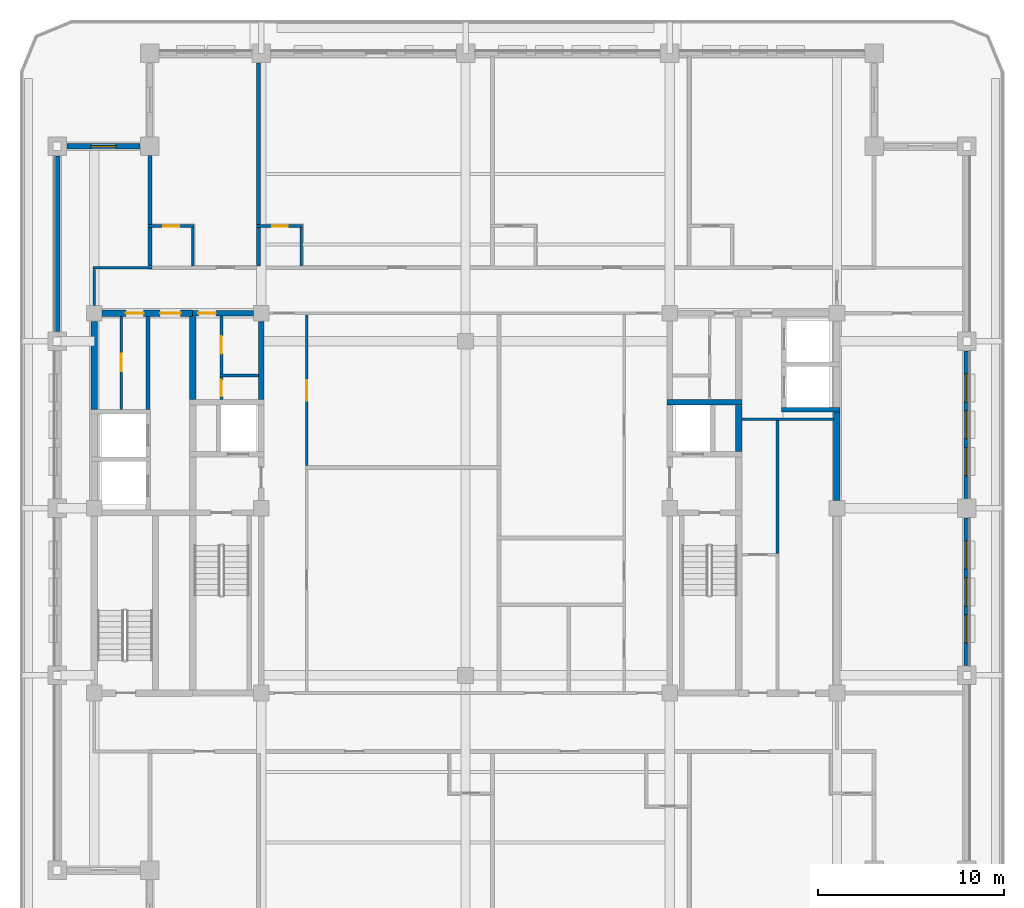
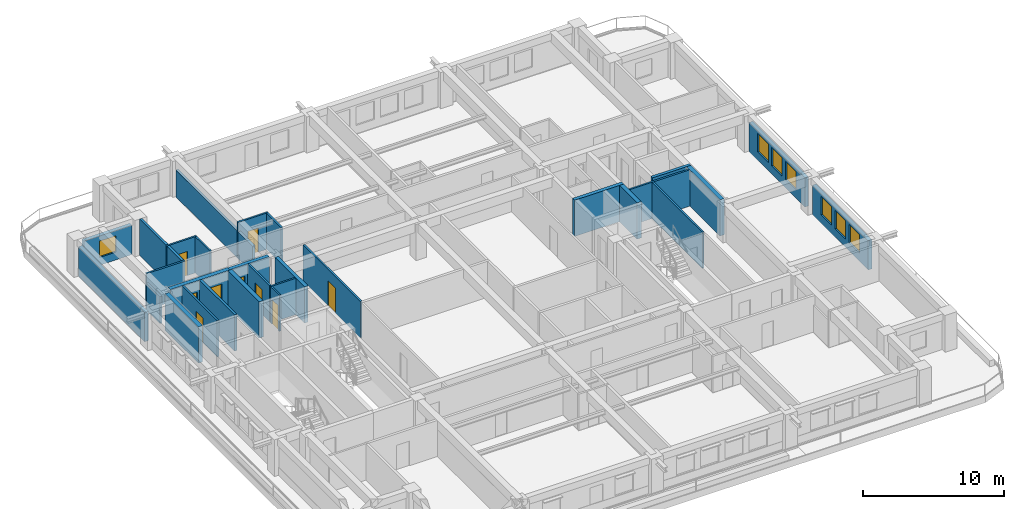
# One storey, part 5 of 14: 31 walls, 9 doors, 7 windows, 16 openings.
"""IFC4 building model written with IfcOpenShell, lengths in metres."""

from ifc_helpers import new_model, si_unit, direction, frame, frame_2d, origin, place, context, subcontext, project, spatial, rectangle, extrude, material, layer, layer_set, type_object, element, fill, save


model = new_model("IFC4")

# Units and contexts
model_context = context("Model", 3, precision=1e-05, world=origin(), true_north=direction((0.0, 1.0)))
body_context = subcontext(model_context, "Body", "Model", "MODEL_VIEW")
ifc_project = project(units=[si_unit("LENGTHUNIT", "METRE"), si_unit("AREAUNIT", "SQUARE_METRE"), si_unit("VOLUMEUNIT", "CUBIC_METRE"), si_unit("PLANEANGLEUNIT", "RADIAN"), si_unit("MASSUNIT", "GRAM", prefix="KILO")], contexts=[model_context])

# Site, building, storey
site_placement = place(None, origin())
site = spatial("IfcSite", under=ifc_project, at=site_placement, CompositionType="ELEMENT")
building_placement = place(site_placement, origin())
building = spatial("IfcBuilding", under=site, at=building_placement, Name="Zulmaris Gate Convention Tower", CompositionType="ELEMENT")
storey_placement = place(building_placement, frame((0.0, 0.0, 162.659912109375)))
storey = spatial("IfcBuildingStorey", under=building, at=storey_placement, Name="L41", CompositionType="ELEMENT", Elevation=162.659912109375)

# Walls
ifc_material_1 = material(Name="Concrete C50/60", Category="concrete")
ifc_layer_1 = layer(ifc_material_1, 0.25, Name="Concrete C50/60")
ifc_layer_set_1 = layer_set([ifc_layer_1], Name="Concrete C50/60")
wall_type_1 = type_object("IfcWallType", Name="CORE-250", PredefinedType="SOLIDWALL", material=ifc_layer_set_1)
wall_1_placement = place(storey_placement, frame((17.02490234375, 5.300048828125, 0.0), z_axis=(0.0, 0.0, 1.0), x_axis=(1.0, 0.0, 0.0)))
element("IfcWall", 1, at=wall_1_placement, inside=storey, type_object=wall_type_1, Name="WL-L41-011", PredefinedType="SOLIDWALL", context=body_context, shape_type="SweptSolid", body=[
    extrude(rectangle(XDim=3.150146484375, YDim=0.25, at=frame_2d((1.5751953125, 0.0))), origin(), (0.0, 0.0, 1.0), 3.14990234375),
])
ifc_layer_2 = layer(ifc_material_1, 0.300048828125, Name="Concrete C50/60")
ifc_layer_set_2 = layer_set([ifc_layer_2], Name="Concrete C50/60")
wall_type_2 = type_object("IfcWallType", Name="CORE-300", PredefinedType="SHEAR", material=ifc_layer_set_2)
wall_2_placement = place(storey_placement, frame((10.85009765625, 5.699951171875, 0.0), z_axis=(0.0, 0.0, 1.0), x_axis=(1.0, 0.0, 0.0)))
element("IfcWall", 2, at=wall_2_placement, inside=storey, type_object=wall_type_2, Name="WL-L41-013", PredefinedType="SHEAR", context=body_context, shape_type="SweptSolid", body=[
    extrude(rectangle(XDim=4.02490234375, YDim=0.300048828125, at=frame_2d((2.012451171875, 0.0))), origin(), (0.0, 0.0, 1.0), 3.14990234375),
])

# Wall, opening, door
wall_3_placement = place(storey_placement, frame((-14.699951171875, 10.5, 0.0), z_axis=(0.0, 0.0, 1.0), x_axis=(1.0, 0.0, 0.0)))
wall_3 = element("IfcWall", 3, at=wall_3_placement, inside=storey, type_object=wall_type_2, Name="WL-L41-016", PredefinedType="SHEAR", context=body_context, shape_type="SweptSolid", body=[
    extrude(rectangle(XDim=3.27099609375, YDim=0.300048828125, at=frame_2d((1.635498046875, 0.0))), origin(), (0.0, 0.0, 1.0), 3.14990234375),
])
opening_1_placement = place(wall_3_placement, frame((0.304931640625, 0.0, 0.0)))
opening_1 = element("IfcOpeningElement", 4, at=opening_1_placement, cuts=wall_3, Name="Opening D-11", PredefinedType="OPENING", context=body_context, shape_type="SweptSolid", body=[
    extrude(rectangle(XDim=0.949951171875, YDim=2.14990234375, at=frame_2d((0.47509765625, 1.074951171875))), frame((0.0, 0.16015625, 0.0), z_axis=(0.0, -1.0, 0.0), x_axis=(1.0, 0.0, 0.0)), (0.0, 0.0, 1.0), 0.320068359375),
])
ifc_material_2 = material(Name="Fire-Rated Timber", Category="wood")
door_type_1 = type_object("IfcDoorType", Name="DR-950-FD", OperationType="NOTDEFINED", PredefinedType="DOOR", material=ifc_material_2)
door_1_placement = place(opening_1_placement, origin())
door_1 = element("IfcDoor", 5, at=door_1_placement, inside=storey, type_object=door_type_1, Name="L41 Core West Passage Door 07", OperationType="SINGLE_SWING_RIGHT", OverallHeight=2.14990234375, OverallWidth=0.949951171875, PredefinedType="DOOR", context=body_context, shape_type="SweptSolid", body=[
    extrude(rectangle(XDim=0.949951171875, YDim=2.14990234375, at=frame_2d((0.47509765625, 1.074951171875))), frame((0.0, 0.02490234375, 0.0), z_axis=(0.0, -1.0, 0.0), x_axis=(1.0, 0.0, 0.0)), (0.0, 0.0, 1.0), 0.050048828125),
])
fill(opening_1, door_1)

# Wall
wall_4_placement = place(storey_placement, frame((-11.0, 5.85205078125, 0.0), z_axis=(0.0, 0.0, 1.0), x_axis=(0.0, 1.0, 0.0)))
element("IfcWall", 6, at=wall_4_placement, inside=storey, type_object=wall_type_2, Name="WL-L41-058", PredefinedType="SHEAR", context=body_context, shape_type="SweptSolid", body=[
    extrude(rectangle(XDim=4.218994140625, YDim=0.300048828125, at=frame_2d((2.109375, 0.0))), origin(), (0.0, 0.0, 1.0), 3.14990234375),
])

# Wall, openings, doors
ifc_material_3 = material(Name="Concrete C55/67", Category="concrete")
ifc_layer_3 = layer(ifc_material_3, 0.35009765625, Name="Concrete C55/67")
ifc_layer_set_3 = layer_set([ifc_layer_3], Name="Concrete C55/67")
wall_type_3 = type_object("IfcWallType", Name="CORE-350", PredefinedType="SHEAR", material=ifc_layer_set_3)
wall_5_placement = place(storey_placement, frame((-19.571044921875, 10.5, 0.0), z_axis=(0.0, 0.0, 1.0), x_axis=(1.0, 0.0, 0.0)))
wall_5 = element("IfcWall", 7, at=wall_5_placement, inside=storey, type_object=wall_type_3, Name="WL-L41-015", PredefinedType="SHEAR", context=body_context, shape_type="SweptSolid", body=[
    extrude(rectangle(XDim=4.87109375, YDim=0.35009765625, at=frame_2d((2.435546875, 0.0))), origin(), (0.0, 0.0, 1.0), 3.14990234375),
])
opening_2_placement = place(wall_5_placement, frame((3.12109375, 0.0, 0.0)))
opening_2 = element("IfcOpeningElement", 8, at=opening_2_placement, cuts=wall_5, Name="Opening D-08", PredefinedType="OPENING", context=body_context, shape_type="SweptSolid", body=[
    extrude(rectangle(XDim=1.10009765625, YDim=2.14990234375, at=frame_2d((0.550048828125, 1.074951171875))), frame((0.0, 0.18505859375, 0.0), z_axis=(0.0, -1.0, 0.0), x_axis=(1.0, 0.0, 0.0)), (0.0, 0.0, 1.0), 0.3701171875),
])
opening_3_placement = place(wall_5_placement, frame((1.27587890625, 0.0, 0.0)))
opening_3 = element("IfcOpeningElement", 9, at=opening_3_placement, cuts=wall_5, Name="Opening D-11", PredefinedType="OPENING", context=body_context, shape_type="SweptSolid", body=[
    extrude(rectangle(XDim=0.949951171875, YDim=2.14990234375, at=frame_2d((0.47509765625, 1.074951171875))), frame((0.0, 0.18505859375, 0.0), z_axis=(0.0, -1.0, 0.0), x_axis=(1.0, 0.0, 0.0)), (0.0, 0.0, 1.0), 0.3701171875),
])
ifc_material_4 = material(Name="Fire-Rated Steel", Category="steel")
door_type_2 = type_object("IfcDoorType", Name="DR-1100-FD", OperationType="NOTDEFINED", PredefinedType="DOOR", material=ifc_material_4)
door_2_placement = place(opening_2_placement, origin())
door_2 = element("IfcDoor", 10, at=door_2_placement, inside=storey, type_object=door_type_2, Name="L41 High-Rise West Lift Lobby Door 16", OperationType="SINGLE_SWING_LEFT", OverallHeight=2.14990234375, OverallWidth=1.10009765625, PredefinedType="DOOR", context=body_context, shape_type="SweptSolid", body=[
    extrude(rectangle(XDim=1.10009765625, YDim=2.14990234375, at=frame_2d((0.550048828125, 1.074951171875))), frame((0.0, 0.02490234375, 0.0), z_axis=(0.0, -1.0, 0.0), x_axis=(1.0, 0.0, 0.0)), (0.0, 0.0, 1.0), 0.050048828125),
])
fill(opening_2, door_2)
door_3_placement = place(opening_3_placement, origin())
door_3 = element("IfcDoor", 11, at=door_3_placement, inside=storey, type_object=door_type_1, Name="L41 Tray Closet Door 17", OperationType="SINGLE_SWING_RIGHT", OverallHeight=2.14990234375, OverallWidth=0.949951171875, PredefinedType="DOOR", context=body_context, shape_type="SweptSolid", body=[
    extrude(rectangle(XDim=0.949951171875, YDim=2.14990234375, at=frame_2d((0.47509765625, 1.074951171875))), frame((0.0, 0.02490234375, 0.0), z_axis=(0.0, -1.0, 0.0), x_axis=(1.0, 0.0, 0.0)), (0.0, 0.0, 1.0), 0.050048828125),
])
fill(opening_3, door_3)

# Walls
wall_6_placement = place(storey_placement, frame((-20.0, 5.326904296875, 0.0), z_axis=(0.0, 0.0, 1.0), x_axis=(0.0, 1.0, 0.0)))
element("IfcWall", 12, at=wall_6_placement, inside=storey, type_object=wall_type_3, Name="WL-L41-045", PredefinedType="SHEAR", context=body_context, shape_type="SweptSolid", body=[
    extrude(rectangle(XDim=4.744140625, YDim=0.35009765625, at=frame_2d((2.3720703125, 0.0))), origin(), (0.0, 0.0, 1.0), 3.14990234375),
])
wall_7_placement = place(storey_placement, frame((-14.699951171875, 5.85205078125, 0.0), z_axis=(0.0, 0.0, 1.0), x_axis=(0.0, 1.0, 0.0)))
element("IfcWall", 13, at=wall_7_placement, inside=storey, type_object=wall_type_3, Name="WL-L41-052", PredefinedType="SHEAR", context=body_context, shape_type="SweptSolid", body=[
    extrude(rectangle(XDim=4.470947265625, YDim=0.35009765625, at=frame_2d((2.2353515625, 0.0))), origin(), (0.0, 0.0, 1.0), 3.14990234375),
])
wall_8_placement = place(storey_placement, frame((14.699951171875, 3.052001953125, 0.0), z_axis=(0.0, 0.0, 1.0), x_axis=(0.0, 1.0, 0.0)))
element("IfcWall", 14, at=wall_8_placement, inside=storey, type_object=wall_type_3, Name="WL-L41-067", PredefinedType="SHEAR", context=body_context, shape_type="SweptSolid", body=[
    extrude(rectangle(XDim=2.49609375, YDim=0.35009765625, at=frame_2d((1.248046875, 0.0))), origin(), (0.0, 0.0, 1.0), 3.14990234375),
])
wall_9_placement = place(storey_placement, frame((20.0, 0.428955078125, 0.0), z_axis=(0.0, 0.0, 1.0), x_axis=(0.0, 1.0, 0.0)))
element("IfcWall", 15, at=wall_9_placement, inside=storey, type_object=wall_type_3, Name="WL-L41-071S1", PredefinedType="SHEAR", context=body_context, shape_type="SweptSolid", body=[
    extrude(rectangle(XDim=4.744140625, YDim=0.35009765625, at=frame_2d((2.3720703125, 0.0))), origin(), (0.0, 0.0, 1.0), 3.14990234375),
])
ifc_material_5 = material(Name="Gypsum Metal Stud Partition")
ifc_layer_4 = layer(ifc_material_5, 0.14990234375, Name="Gypsum Metal Stud Partition")
ifc_layer_set_4 = layer_set([ifc_layer_4], Name="Gypsum Metal Stud Partition")
wall_type_4 = type_object("IfcWallType", Name="PART-150", PredefinedType="PARTITIONING", material=ifc_layer_set_4)
wall_10_placement = place(storey_placement, frame((14.8779296875, 4.800048828125, 0.0), z_axis=(0.0, 0.0, 1.0), x_axis=(1.0, 0.0, 0.0)))
element("IfcWall", 16, at=wall_10_placement, inside=storey, type_object=wall_type_4, Name="WL-L41-030", PredefinedType="PARTITIONING", context=body_context, shape_type="SweptSolid", body=[
    extrude(rectangle(XDim=4.944091796875, YDim=0.14990234375, at=frame_2d((2.47216796875, 0.0))), origin(), (0.0, 0.0, 1.0), 3.14990234375),
])
wall_11_placement = place(storey_placement, frame((-13.22509765625, 7.14990234375, 0.0), z_axis=(0.0, 0.0, 1.0), x_axis=(1.0, 0.0, 0.0)))
element("IfcWall", 17, at=wall_11_placement, inside=storey, type_object=wall_type_4, Name="WL-L41-031", PredefinedType="PARTITIONING", context=body_context, shape_type="SweptSolid", body=[
    extrude(rectangle(XDim=2.072021484375, YDim=0.14990234375, at=frame_2d((1.0361328125, 0.0))), origin(), (0.0, 0.0, 1.0), 3.14990234375),
])
wall_12_placement = place(storey_placement, frame((-20.074951171875, 12.949951171875, 0.0), z_axis=(0.0, 0.0, 1.0), x_axis=(1.0, 0.0, 0.0)))
element("IfcWall", 18, at=wall_12_placement, inside=storey, type_object=wall_type_4, Name="WL-L41-035", PredefinedType="PARTITIONING", context=body_context, shape_type="SweptSolid", body=[
    extrude(rectangle(XDim=3.175048828125, YDim=0.14990234375, at=frame_2d((1.58740234375, 0.0))), origin(), (0.0, 0.0, 1.0), 3.14990234375),
])

# Wall, opening, door
wall_13_placement = place(storey_placement, frame((-17.10009765625, 15.199951171875, 0.0), z_axis=(0.0, 0.0, 1.0), x_axis=(1.0, 0.0, 0.0)))
wall_13 = element("IfcWall", 19, at=wall_13_placement, inside=storey, type_object=wall_type_4, Name="WL-L41-038", PredefinedType="PARTITIONING", context=body_context, shape_type="SweptSolid", body=[
    extrude(rectangle(XDim=2.47509765625, YDim=0.14990234375, at=frame_2d((1.237548828125, 0.0))), origin(), (0.0, 0.0, 1.0), 3.14990234375),
])
opening_4_placement = place(wall_13_placement, frame((0.824951171875, 0.0, 0.0)))
opening_4 = element("IfcOpeningElement", 20, at=opening_4_placement, cuts=wall_13, Name="Opening D-17", PredefinedType="OPENING", context=body_context, shape_type="SweptSolid", body=[
    extrude(rectangle(XDim=0.85009765625, YDim=2.10009765625, at=frame_2d((0.425048828125, 1.050048828125))), frame((0.0, 0.0849609375, 0.0), z_axis=(0.0, -1.0, 0.0), x_axis=(1.0, 0.0, 0.0)), (0.0, 0.0, 1.0), 0.169921875),
])
ifc_material_6 = material(Name="Moisture-Resistant Hardwood Timber", Category="wood")
door_type_3 = type_object("IfcDoorType", Name="DR-850", OperationType="NOTDEFINED", PredefinedType="DOOR", material=ifc_material_6)
door_4_placement = place(opening_4_placement, origin())
door_4 = element("IfcDoor", 21, at=door_4_placement, inside=storey, type_object=door_type_3, Name="L41 En-Suite Door 30", OperationType="SINGLE_SWING_LEFT", OverallHeight=2.10009765625, OverallWidth=0.85009765625, PredefinedType="DOOR", context=body_context, shape_type="SweptSolid", body=[
    extrude(rectangle(XDim=0.85009765625, YDim=2.10009765625, at=frame_2d((0.425048828125, 1.050048828125))), frame((0.0, 0.02490234375, 0.0), z_axis=(0.0, -1.0, 0.0), x_axis=(1.0, 0.0, 0.0)), (0.0, 0.0, 1.0), 0.050048828125),
])
fill(opening_4, door_4)

wall_14_placement = place(storey_placement, frame((-11.25, 15.199951171875, 0.0), z_axis=(0.0, 0.0, 1.0), x_axis=(1.0, 0.0, 0.0)))
wall_14 = element("IfcWall", 22, at=wall_14_placement, inside=storey, type_object=wall_type_4, Name="WL-L41-039", PredefinedType="PARTITIONING", context=body_context, shape_type="SweptSolid", body=[
    extrude(rectangle(XDim=2.47509765625, YDim=0.14990234375, at=frame_2d((1.237548828125, 0.0))), origin(), (0.0, 0.0, 1.0), 3.14990234375),
])
opening_5_placement = place(wall_14_placement, frame((0.824951171875, 0.0, 0.0)))
opening_5 = element("IfcOpeningElement", 23, at=opening_5_placement, cuts=wall_14, Name="Opening D-17", PredefinedType="OPENING", context=body_context, shape_type="SweptSolid", body=[
    extrude(rectangle(XDim=0.85009765625, YDim=2.10009765625, at=frame_2d((0.425048828125, 1.050048828125))), frame((0.0, 0.0849609375, 0.0), z_axis=(0.0, -1.0, 0.0), x_axis=(1.0, 0.0, 0.0)), (0.0, 0.0, 1.0), 0.169921875),
])
door_5_placement = place(opening_5_placement, origin())
door_5 = element("IfcDoor", 24, at=door_5_placement, inside=storey, type_object=door_type_3, Name="L41 En-Suite Door 32", OperationType="SINGLE_SWING_LEFT", OverallHeight=2.10009765625, OverallWidth=0.85009765625, PredefinedType="DOOR", context=body_context, shape_type="SweptSolid", body=[
    extrude(rectangle(XDim=0.85009765625, YDim=2.10009765625, at=frame_2d((0.425048828125, 1.050048828125))), frame((0.0, 0.02490234375, 0.0), z_axis=(0.0, -1.0, 0.0), x_axis=(1.0, 0.0, 0.0)), (0.0, 0.0, 1.0), 0.050048828125),
])
fill(opening_5, door_5)

# Wall
wall_15_placement = place(storey_placement, frame((-20.0, 10.930908203125, 0.0), z_axis=(0.0, 0.0, 1.0), x_axis=(0.0, 1.0, 0.0)))
element("IfcWall", 25, at=wall_15_placement, inside=storey, type_object=wall_type_4, Name="WL-L41-075", PredefinedType="PARTITIONING", context=body_context, shape_type="SweptSolid", body=[
    extrude(rectangle(XDim=1.941162109375, YDim=0.14990234375, at=frame_2d((0.970703125, 0.0))), origin(), (0.0, 0.0, 1.0), 2.341796875),
])

# Wall, opening, door
wall_16_placement = place(storey_placement, frame((-18.550048828125, 5.327880859375, 0.0), z_axis=(0.0, 0.0, 1.0), x_axis=(0.0, 1.0, 0.0)))
wall_16 = element("IfcWall", 26, at=wall_16_placement, inside=storey, type_object=wall_type_4, Name="WL-L41-076", PredefinedType="PARTITIONING", context=body_context, shape_type="SweptSolid", body=[
    extrude(rectangle(XDim=4.994140625, YDim=0.14990234375, at=frame_2d((2.4970703125, 0.0))), origin(), (0.0, 0.0, 1.0), 3.14990234375),
])
opening_6_placement = place(wall_16_placement, frame((2.047119140625, 0.0, 0.0)))
opening_6 = element("IfcOpeningElement", 27, at=opening_6_placement, cuts=wall_16, Name="Opening D-11", PredefinedType="OPENING", context=body_context, shape_type="SweptSolid", body=[
    extrude(rectangle(XDim=0.949951171875, YDim=2.14990234375, at=frame_2d((0.47509765625, 1.074951171875))), frame((0.0, 0.0849609375, 0.0), z_axis=(0.0, -1.0, 0.0), x_axis=(1.0, 0.0, 0.0)), (0.0, 0.0, 1.0), 0.169921875),
])
door_6_placement = place(opening_6_placement, origin())
door_6 = element("IfcDoor", 28, at=door_6_placement, inside=storey, type_object=door_type_1, Name="L41 Housekeeping Door 18", OperationType="SINGLE_SWING_LEFT", OverallHeight=2.14990234375, OverallWidth=0.949951171875, PredefinedType="DOOR", context=body_context, shape_type="SweptSolid", body=[
    extrude(rectangle(XDim=0.949951171875, YDim=2.14990234375, at=frame_2d((0.47509765625, 1.074951171875))), frame((0.0, 0.02490234375, 0.0), z_axis=(0.0, -1.0, 0.0), x_axis=(1.0, 0.0, 0.0)), (0.0, 0.0, 1.0), 0.050048828125),
])
fill(opening_6, door_6)

# Wall
wall_17_placement = place(storey_placement, frame((-14.699951171875, 13.052978515625, 0.0), z_axis=(0.0, 0.0, 1.0), x_axis=(0.0, 1.0, 0.0)))
element("IfcWall", 29, at=wall_17_placement, inside=storey, type_object=wall_type_4, Name="WL-L41-081", PredefinedType="PARTITIONING", context=body_context, shape_type="SweptSolid", body=[
    extrude(rectangle(XDim=2.069091796875, YDim=0.14990234375, at=frame_2d((1.03466796875, 0.0))), origin(), (0.0, 0.0, 1.0), 3.14990234375),
])

# Wall, opening, door
wall_18_placement = place(storey_placement, frame((-13.14990234375, 5.85302734375, 0.0), z_axis=(0.0, 0.0, 1.0), x_axis=(0.0, 1.0, 0.0)))
wall_18 = element("IfcWall", 30, at=wall_18_placement, inside=storey, type_object=wall_type_4, Name="WL-L41-082", PredefinedType="PARTITIONING", context=body_context, shape_type="SweptSolid", body=[
    extrude(rectangle(XDim=1.218994140625, YDim=0.14990234375, at=frame_2d((0.609375, 0.0))), origin(), (0.0, 0.0, 1.0), 3.14990234375),
])
opening_7_placement = place(wall_18_placement, frame((0.1689453125, 0.0, 0.0)))
opening_7 = element("IfcOpeningElement", 31, at=opening_7_placement, cuts=wall_18, Name="Opening D-12", PredefinedType="OPENING", context=body_context, shape_type="SweptSolid", body=[
    extrude(rectangle(XDim=0.89990234375, YDim=2.14990234375, at=frame_2d((0.449951171875, 1.074951171875))), frame((0.0, 0.0849609375, 0.0), z_axis=(0.0, -1.0, 0.0), x_axis=(1.0, 0.0, 0.0)), (0.0, 0.0, 1.0), 0.169921875),
])
door_type_4 = type_object("IfcDoorType", Name="DR-900-FD", OperationType="NOTDEFINED", PredefinedType="DOOR", material=ifc_material_2)
door_7_placement = place(opening_7_placement, origin())
door_7 = element("IfcDoor", 32, at=door_7_placement, inside=storey, type_object=door_type_4, Name="L41 Stationery Closet Door 08", OperationType="SINGLE_SWING_LEFT", OverallHeight=2.14990234375, OverallWidth=0.89990234375, PredefinedType="DOOR", context=body_context, shape_type="SweptSolid", body=[
    extrude(rectangle(XDim=0.89990234375, YDim=2.14990234375, at=frame_2d((0.449951171875, 1.074951171875))), frame((0.0, 0.02490234375, 0.0), z_axis=(0.0, -1.0, 0.0), x_axis=(1.0, 0.0, 0.0)), (0.0, 0.0, 1.0), 0.050048828125),
])
fill(opening_7, door_7)

wall_19_placement = place(storey_placement, frame((-13.14990234375, 7.22802734375, 0.0), z_axis=(0.0, 0.0, 1.0), x_axis=(0.0, 1.0, 0.0)))
wall_19 = element("IfcWall", 33, at=wall_19_placement, inside=storey, type_object=wall_type_4, Name="WL-L41-083", PredefinedType="PARTITIONING", context=body_context, shape_type="SweptSolid", body=[
    extrude(rectangle(XDim=3.118896484375, YDim=0.14990234375, at=frame_2d((1.5595703125, 0.0))), origin(), (0.0, 0.0, 1.0), 3.14990234375),
])
opening_8_placement = place(wall_19_placement, frame((1.096923828125, 0.0, 0.0)))
opening_8 = element("IfcOpeningElement", 34, at=opening_8_placement, cuts=wall_19, Name="Opening D-11", PredefinedType="OPENING", context=body_context, shape_type="SweptSolid", body=[
    extrude(rectangle(XDim=0.949951171875, YDim=2.14990234375, at=frame_2d((0.47509765625, 1.074951171875))), frame((0.0, 0.0849609375, 0.0), z_axis=(0.0, -1.0, 0.0), x_axis=(1.0, 0.0, 0.0)), (0.0, 0.0, 1.0), 0.169921875),
])
door_8_placement = place(opening_8_placement, origin())
door_8 = element("IfcDoor", 35, at=door_8_placement, inside=storey, type_object=door_type_1, Name="L41 Meter Closet Door 09", OperationType="SINGLE_SWING_RIGHT", OverallHeight=2.14990234375, OverallWidth=0.949951171875, PredefinedType="DOOR", context=body_context, shape_type="SweptSolid", body=[
    extrude(rectangle(XDim=0.949951171875, YDim=2.14990234375, at=frame_2d((0.47509765625, 1.074951171875))), frame((0.0, 0.02490234375, 0.0), z_axis=(0.0, -1.0, 0.0), x_axis=(1.0, 0.0, 0.0)), (0.0, 0.0, 1.0), 0.050048828125),
])
fill(opening_8, door_8)

# Wall
wall_20_placement = place(storey_placement, frame((-8.85009765625, 13.052978515625, 0.0), z_axis=(0.0, 0.0, 1.0), x_axis=(0.0, 1.0, 0.0)))
element("IfcWall", 36, at=wall_20_placement, inside=storey, type_object=wall_type_4, Name="WL-L41-087", PredefinedType="PARTITIONING", context=body_context, shape_type="SweptSolid", body=[
    extrude(rectangle(XDim=2.069091796875, YDim=0.14990234375, at=frame_2d((1.03466796875, 0.0))), origin(), (0.0, 0.0, 1.0), 3.14990234375),
])

# Wall, opening, door
wall_21_placement = place(storey_placement, frame((-8.550048828125, 2.302978515625, 0.0), z_axis=(0.0, 0.0, 1.0), x_axis=(0.0, 1.0, 0.0)))
wall_21 = element("IfcWall", 37, at=wall_21_placement, inside=storey, type_object=wall_type_4, Name="WL-L41-089", PredefinedType="PARTITIONING", context=body_context, shape_type="SweptSolid", body=[
    extrude(rectangle(XDim=8.119140625, YDim=0.14990234375, at=frame_2d((4.0595703125, 0.0))), origin(), (0.0, 0.0, 1.0), 3.14990234375),
])
opening_9_placement = place(wall_21_placement, frame((3.4970703125, 0.0, 0.0)))
opening_9 = element("IfcOpeningElement", 38, at=opening_9_placement, cuts=wall_21, Name="Opening D-08", PredefinedType="OPENING", context=body_context, shape_type="SweptSolid", body=[
    extrude(rectangle(XDim=1.10009765625, YDim=2.14990234375, at=frame_2d((0.550048828125, 1.074951171875))), frame((0.0, 0.0849609375, 0.0), z_axis=(0.0, -1.0, 0.0), x_axis=(1.0, 0.0, 0.0)), (0.0, 0.0, 1.0), 0.169921875),
])
door_9_placement = place(opening_9_placement, origin())
door_9 = element("IfcDoor", 39, at=door_9_placement, inside=storey, type_object=door_type_2, Name="L41 Club Lounge Door 44", OperationType="SINGLE_SWING_LEFT", OverallHeight=2.14990234375, OverallWidth=1.10009765625, PredefinedType="DOOR", context=body_context, shape_type="SweptSolid", body=[
    extrude(rectangle(XDim=1.10009765625, YDim=2.14990234375, at=frame_2d((0.550048828125, 1.074951171875))), frame((0.0, 0.02490234375, 0.0), z_axis=(0.0, -1.0, 0.0), x_axis=(1.0, 0.0, 0.0)), (0.0, 0.0, 1.0), 0.050048828125),
])
fill(opening_9, door_9)

# Walls
wall_22_placement = place(storey_placement, frame((16.800048828125, -2.422119140625, 0.0), z_axis=(0.0, 0.0, 1.0), x_axis=(0.0, 1.0, 0.0)))
element("IfcWall", 40, at=wall_22_placement, inside=storey, type_object=wall_type_4, Name="WL-L41-113", PredefinedType="PARTITIONING", context=body_context, shape_type="SweptSolid", body=[
    extrude(rectangle(XDim=7.14404296875, YDim=0.14990234375, at=frame_2d((3.572021484375, 0.0))), origin(), (0.0, 0.0, 1.0), 3.14990234375),
])
ifc_material_7 = material(Name="Autoclaved Aerated Concrete Block and Plasterboard", Category="concrete")
ifc_layer_5 = layer(ifc_material_7, 0.199951171875, Name="Autoclaved Aerated Concrete Block and Plasterboard")
ifc_layer_set_5 = layer_set([ifc_layer_5], Name="Autoclaved Aerated Concrete Block and Plasterboard")
wall_type_5 = type_object("IfcWallType", Name="PART-200", PredefinedType="PARTITIONING", material=ifc_layer_set_5)
wall_23_placement = place(storey_placement, frame((-17.10009765625, 5.327880859375, 0.0), z_axis=(0.0, 0.0, 1.0), x_axis=(0.0, 1.0, 0.0)))
element("IfcWall", 41, at=wall_23_placement, inside=storey, type_object=wall_type_5, Name="WL-L41-077", PredefinedType="PARTITIONING", context=body_context, shape_type="SweptSolid", body=[
    extrude(rectangle(XDim=4.994140625, YDim=0.199951171875, at=frame_2d((2.4970703125, 0.0))), origin(), (0.0, 0.0, 1.0), 3.14990234375),
])
wall_24_placement = place(storey_placement, frame((-17.0, 13.052978515625, 0.0), z_axis=(0.0, 0.0, 1.0), x_axis=(0.0, 1.0, 0.0)))
element("IfcWall", 42, at=wall_24_placement, inside=storey, type_object=wall_type_5, Name="WL-L41-079", PredefinedType="PARTITIONING", context=body_context, shape_type="SweptSolid", body=[
    extrude(rectangle(XDim=2.069091796875, YDim=0.199951171875, at=frame_2d((1.03466796875, 0.0))), origin(), (0.0, 0.0, 1.0), 3.14990234375),
])
wall_25_placement = place(storey_placement, frame((-17.0, 15.278076171875, 0.0), z_axis=(0.0, 0.0, 1.0), x_axis=(0.0, 1.0, 0.0)))
element("IfcWall", 43, at=wall_25_placement, inside=storey, type_object=wall_type_5, Name="WL-L41-080", PredefinedType="PARTITIONING", context=body_context, shape_type="SweptSolid", body=[
    extrude(rectangle(XDim=3.7158203125, YDim=0.199951171875, at=frame_2d((1.85791015625, 0.0))), origin(), (0.0, 0.0, 1.0), 3.14990234375),
])
wall_26_placement = place(storey_placement, frame((-11.14990234375, 13.052978515625, 0.0), z_axis=(0.0, 0.0, 1.0), x_axis=(0.0, 1.0, 0.0)))
element("IfcWall", 44, at=wall_26_placement, inside=storey, type_object=wall_type_5, Name="WL-L41-085", PredefinedType="PARTITIONING", context=body_context, shape_type="SweptSolid", body=[
    extrude(rectangle(XDim=2.069091796875, YDim=0.199951171875, at=frame_2d((1.03466796875, 0.0))), origin(), (0.0, 0.0, 1.0), 2.341796875),
])
wall_27_placement = place(storey_placement, frame((-11.14990234375, 15.278076171875, 0.0), z_axis=(0.0, 0.0, 1.0), x_axis=(0.0, 1.0, 0.0)))
element("IfcWall", 45, at=wall_27_placement, inside=storey, type_object=wall_type_5, Name="WL-L41-086", PredefinedType="PARTITIONING", context=body_context, shape_type="SweptSolid", body=[
    extrude(rectangle(XDim=8.7158203125, YDim=0.199951171875, at=frame_2d((4.35791015625, 0.0))), origin(), (0.0, 0.0, 1.0), 2.341796875),
])

# Wall, opening, window
ifc_material_8 = material(Name="Precast concrete C40/50", Category="concrete")
ifc_layer_6 = layer(ifc_material_8, 0.300048828125, Name="Precast concrete C40/50")
ifc_layer_set_6 = layer_set([ifc_layer_6], Name="Precast concrete C40/50")
wall_type_6 = type_object("IfcWallType", Name="PRECAST-PIER-300", PredefinedType="STANDARD", material=ifc_layer_set_6)
wall_28_placement = place(storey_placement, frame((-17.530029296875, 19.5, 0.0), z_axis=(0.0, 0.0, 1.0), x_axis=(-1.0, 0.0, 0.0)))
wall_28 = element("IfcWall", 46, at=wall_28_placement, inside=storey, type_object=wall_type_6, Name="EW-L41-NOTCH-NW2_0", PredefinedType="STANDARD", context=body_context, shape_type="SweptSolid", body=[
    extrude(rectangle(XDim=3.93994140625, YDim=0.300048828125, at=frame_2d((1.969970703125, 0.0))), origin(), (0.0, 0.0, 1.0), 2.5419921875),
])
opening_10_placement = place(wall_28_placement, frame((1.294921875, 0.0, 0.679931640625)))
opening_10 = element("IfcOpeningElement", 47, at=opening_10_placement, cuts=wall_28, Name="Opening W-10", PredefinedType="OPENING", context=body_context, shape_type="SweptSolid", body=[
    extrude(rectangle(XDim=1.35009765625, YDim=1.419921875, at=frame_2d((0.675048828125, 0.7099609375))), frame((0.0, 0.16015625, 0.0), z_axis=(0.0, -1.0, 0.0), x_axis=(1.0, 0.0, 0.0)), (0.0, 0.0, 1.0), 0.320068359375),
])
ifc_material_9 = material(Name="Low-E Laminated Double Glazing in Aluminium Frame", Category="aluminium")
window_type_1 = type_object("IfcWindowType", Name="WIN-1350x2000", PartitioningType="SINGLE_PANEL", PredefinedType="WINDOW", material=ifc_material_9)
window_1_placement = place(opening_10_placement, origin())
window_1 = element("IfcWindow", 48, at=window_1_placement, inside=storey, type_object=window_type_1, Name="WN-EW-L41-NOTCH-NW2_0", OverallHeight=1.419921875, OverallWidth=1.35009765625, PartitioningType="SINGLE_PANEL", PredefinedType="WINDOW", context=body_context, shape_type="SweptSolid", body=[
    extrude(rectangle(XDim=1.35009765625, YDim=1.419921875, at=frame_2d((0.675048828125, 0.7099609375))), frame((0.0, 0.030029296875, 0.0), z_axis=(0.0, -1.0, 0.0), x_axis=(1.0, 0.0, 0.0)), (0.0, 0.0, 1.0), 0.06005859375),
])
fill(opening_10, window_1)

# Wall, openings, windows
wall_29_placement = place(storey_placement, frame((27.0, -8.469970703125, 0.0), z_axis=(0.0, 0.0, 1.0), x_axis=(0.0, 1.0, 0.0)))
wall_29 = element("IfcWall", 49, at=wall_29_placement, inside=storey, type_object=wall_type_6, Name="EW-L41-E-1_0", PredefinedType="STANDARD", context=body_context, shape_type="SweptSolid", body=[
    extrude(rectangle(XDim=7.93994140625, YDim=0.300048828125, at=frame_2d((3.969970703125, 0.0))), origin(), (0.0, 0.0, 1.0), 2.5419921875),
])
opening_11_placement = place(wall_29_placement, frame((1.235107421875, 0.0, 0.719970703125)))
opening_11 = element("IfcOpeningElement", 50, at=opening_11_placement, cuts=wall_29, Name="Opening W-03", PredefinedType="OPENING", context=body_context, shape_type="SweptSolid", body=[
    extrude(rectangle(XDim=1.5, YDim=1.60009765625, at=frame_2d((0.75, 0.800048828125))), frame((0.0, 0.16015625, 0.0), z_axis=(0.0, -1.0, 0.0), x_axis=(1.0, 0.0, 0.0)), (0.0, 0.0, 1.0), 0.320068359375),
])
opening_12_placement = place(wall_29_placement, frame((3.219970703125, 0.0, 0.719970703125)))
opening_12 = element("IfcOpeningElement", 51, at=opening_12_placement, cuts=wall_29, Name="Opening W-03", PredefinedType="OPENING", context=body_context, shape_type="SweptSolid", body=[
    extrude(rectangle(XDim=1.5, YDim=1.60009765625, at=frame_2d((0.75, 0.800048828125))), frame((0.0, 0.16015625, 0.0), z_axis=(0.0, -1.0, 0.0), x_axis=(1.0, 0.0, 0.0)), (0.0, 0.0, 1.0), 0.320068359375),
])
opening_13_placement = place(wall_29_placement, frame((5.205078125, 0.0, 0.719970703125)))
opening_13 = element("IfcOpeningElement", 52, at=opening_13_placement, cuts=wall_29, Name="Opening W-03", PredefinedType="OPENING", context=body_context, shape_type="SweptSolid", body=[
    extrude(rectangle(XDim=1.5, YDim=1.60009765625, at=frame_2d((0.75, 0.800048828125))), frame((0.0, 0.16015625, 0.0), z_axis=(0.0, -1.0, 0.0), x_axis=(1.0, 0.0, 0.0)), (0.0, 0.0, 1.0), 0.320068359375),
])
window_type_2 = type_object("IfcWindowType", Name="WIN-1500x2100", PartitioningType="SINGLE_PANEL", PredefinedType="WINDOW", material=ifc_material_9)
window_2_placement = place(opening_11_placement, origin())
window_2 = element("IfcWindow", 53, at=window_2_placement, inside=storey, type_object=window_type_2, Name="WN-EW-L41-E-1_0-1", OverallHeight=1.60009765625, OverallWidth=1.5, PartitioningType="SINGLE_PANEL", PredefinedType="WINDOW", context=body_context, shape_type="SweptSolid", body=[
    extrude(rectangle(XDim=1.5, YDim=1.60009765625, at=frame_2d((0.75, 0.800048828125))), frame((0.0, 0.030029296875, 0.0), z_axis=(0.0, -1.0, 0.0), x_axis=(1.0, 0.0, 0.0)), (0.0, 0.0, 1.0), 0.06005859375),
])
fill(opening_11, window_2)
window_3_placement = place(opening_12_placement, origin())
window_3 = element("IfcWindow", 54, at=window_3_placement, inside=storey, type_object=window_type_2, Name="WN-EW-L41-E-1_0-2", OverallHeight=1.60009765625, OverallWidth=1.5, PartitioningType="SINGLE_PANEL", PredefinedType="WINDOW", context=body_context, shape_type="SweptSolid", body=[
    extrude(rectangle(XDim=1.5, YDim=1.60009765625, at=frame_2d((0.75, 0.800048828125))), frame((0.0, 0.030029296875, 0.0), z_axis=(0.0, -1.0, 0.0), x_axis=(1.0, 0.0, 0.0)), (0.0, 0.0, 1.0), 0.06005859375),
])
fill(opening_12, window_3)
window_4_placement = place(opening_13_placement, origin())
window_4 = element("IfcWindow", 55, at=window_4_placement, inside=storey, type_object=window_type_2, Name="WN-EW-L41-E-1_0-3", OverallHeight=1.60009765625, OverallWidth=1.5, PartitioningType="SINGLE_PANEL", PredefinedType="WINDOW", context=body_context, shape_type="SweptSolid", body=[
    extrude(rectangle(XDim=1.5, YDim=1.60009765625, at=frame_2d((0.75, 0.800048828125))), frame((0.0, 0.030029296875, 0.0), z_axis=(0.0, -1.0, 0.0), x_axis=(1.0, 0.0, 0.0)), (0.0, 0.0, 1.0), 0.06005859375),
])
fill(opening_13, window_4)

wall_30_placement = place(storey_placement, frame((27.0, 0.530029296875, 0.0), z_axis=(0.0, 0.0, 1.0), x_axis=(0.0, 1.0, 0.0)))
wall_30 = element("IfcWall", 56, at=wall_30_placement, inside=storey, type_object=wall_type_6, Name="EW-L41-E-2_0", PredefinedType="STANDARD", context=body_context, shape_type="SweptSolid", body=[
    extrude(rectangle(XDim=7.93994140625, YDim=0.300048828125, at=frame_2d((3.969970703125, 0.0))), origin(), (0.0, 0.0, 1.0), 2.5419921875),
])
opening_14_placement = place(wall_30_placement, frame((1.235107421875, 0.0, 0.719970703125)))
opening_14 = element("IfcOpeningElement", 57, at=opening_14_placement, cuts=wall_30, Name="Opening W-03", PredefinedType="OPENING", context=body_context, shape_type="SweptSolid", body=[
    extrude(rectangle(XDim=1.5, YDim=1.60009765625, at=frame_2d((0.75, 0.800048828125))), frame((0.0, 0.16015625, 0.0), z_axis=(0.0, -1.0, 0.0), x_axis=(1.0, 0.0, 0.0)), (0.0, 0.0, 1.0), 0.320068359375),
])
opening_15_placement = place(wall_30_placement, frame((3.219970703125, 0.0, 0.719970703125)))
opening_15 = element("IfcOpeningElement", 58, at=opening_15_placement, cuts=wall_30, Name="Opening W-03", PredefinedType="OPENING", context=body_context, shape_type="SweptSolid", body=[
    extrude(rectangle(XDim=1.5, YDim=1.60009765625, at=frame_2d((0.75, 0.800048828125))), frame((0.0, 0.16015625, 0.0), z_axis=(0.0, -1.0, 0.0), x_axis=(1.0, 0.0, 0.0)), (0.0, 0.0, 1.0), 0.320068359375),
])
opening_16_placement = place(wall_30_placement, frame((5.205078125, 0.0, 0.719970703125)))
opening_16 = element("IfcOpeningElement", 59, at=opening_16_placement, cuts=wall_30, Name="Opening W-03", PredefinedType="OPENING", context=body_context, shape_type="SweptSolid", body=[
    extrude(rectangle(XDim=1.5, YDim=1.60009765625, at=frame_2d((0.75, 0.800048828125))), frame((0.0, 0.16015625, 0.0), z_axis=(0.0, -1.0, 0.0), x_axis=(1.0, 0.0, 0.0)), (0.0, 0.0, 1.0), 0.320068359375),
])
window_5_placement = place(opening_14_placement, origin())
window_5 = element("IfcWindow", 60, at=window_5_placement, inside=storey, type_object=window_type_2, Name="WN-EW-L41-E-2_0-1", OverallHeight=1.60009765625, OverallWidth=1.5, PartitioningType="SINGLE_PANEL", PredefinedType="WINDOW", context=body_context, shape_type="SweptSolid", body=[
    extrude(rectangle(XDim=1.5, YDim=1.60009765625, at=frame_2d((0.75, 0.800048828125))), frame((0.0, 0.030029296875, 0.0), z_axis=(0.0, -1.0, 0.0), x_axis=(1.0, 0.0, 0.0)), (0.0, 0.0, 1.0), 0.06005859375),
])
fill(opening_14, window_5)
window_6_placement = place(opening_15_placement, origin())
window_6 = element("IfcWindow", 61, at=window_6_placement, inside=storey, type_object=window_type_2, Name="WN-EW-L41-E-2_0-2", OverallHeight=1.60009765625, OverallWidth=1.5, PartitioningType="SINGLE_PANEL", PredefinedType="WINDOW", context=body_context, shape_type="SweptSolid", body=[
    extrude(rectangle(XDim=1.5, YDim=1.60009765625, at=frame_2d((0.75, 0.800048828125))), frame((0.0, 0.030029296875, 0.0), z_axis=(0.0, -1.0, 0.0), x_axis=(1.0, 0.0, 0.0)), (0.0, 0.0, 1.0), 0.06005859375),
])
fill(opening_15, window_6)
window_7_placement = place(opening_16_placement, origin())
window_7 = element("IfcWindow", 62, at=window_7_placement, inside=storey, type_object=window_type_2, Name="WN-EW-L41-E-2_0-3", OverallHeight=1.60009765625, OverallWidth=1.5, PartitioningType="SINGLE_PANEL", PredefinedType="WINDOW", context=body_context, shape_type="SweptSolid", body=[
    extrude(rectangle(XDim=1.5, YDim=1.60009765625, at=frame_2d((0.75, 0.800048828125))), frame((0.0, 0.030029296875, 0.0), z_axis=(0.0, -1.0, 0.0), x_axis=(1.0, 0.0, 0.0)), (0.0, 0.0, 1.0), 0.06005859375),
])
fill(opening_16, window_7)

# Wall
wall_31_placement = place(storey_placement, frame((-22.0, 18.969970703125, 0.0), z_axis=(0.0, 0.0, 1.0), x_axis=(0.0, -1.0, 0.0)))
element("IfcWall", 63, at=wall_31_placement, inside=storey, type_object=wall_type_6, Name="EW-L41-W-3_0", PredefinedType="STANDARD", context=body_context, shape_type="SweptSolid", body=[
    extrude(rectangle(XDim=9.43994140625, YDim=0.300048828125, at=frame_2d((4.719970703125, 0.0))), origin(), (0.0, 0.0, 1.0), 2.5419921875),
])

save(model, "model.ifc")
